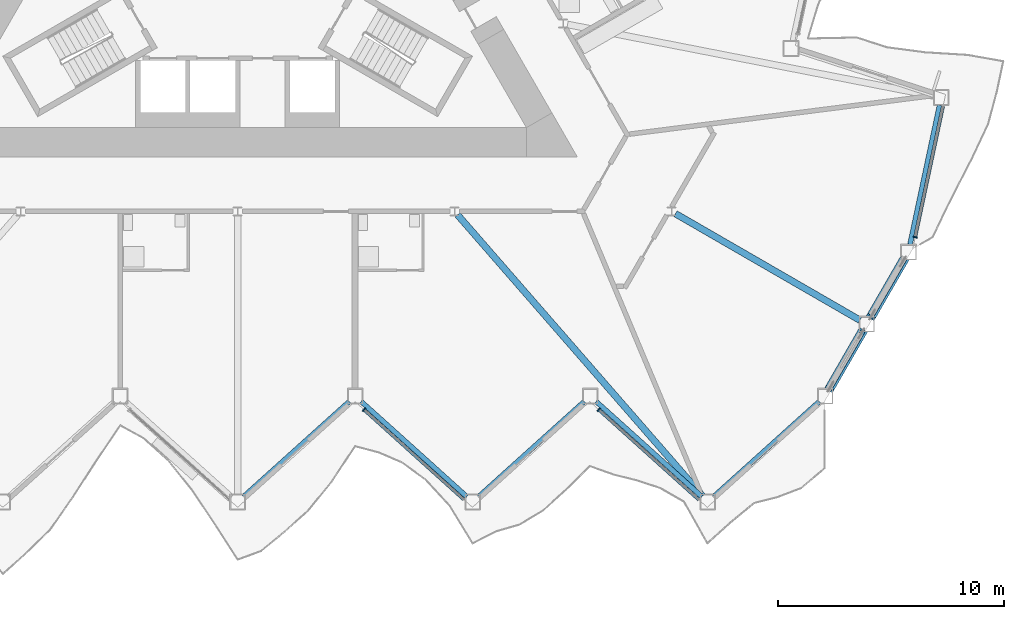
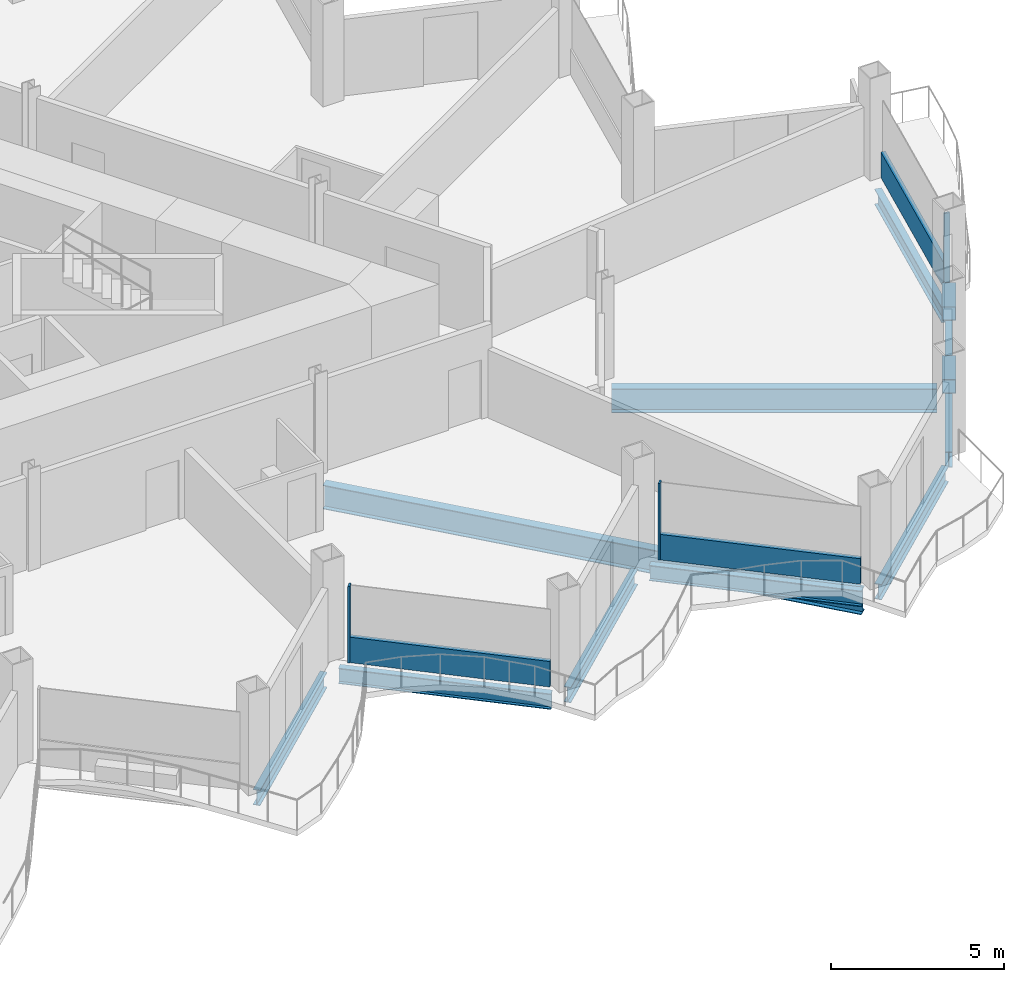
# One storey, part 6 of 23: 10 beams, 8 members, 3 elements without a shape of their own.
"""IFC4 building model written with IfcOpenShell, lengths in metres."""

from ifc_helpers import new_model, si_unit, direction, frame, origin, origin_2d, place, context, subcontext, project, spatial, rectangle, hollow_rectangle, i_section, extrude, material, layer, layer_set, material_profile, profile_set, type_object, element, aggregate, save


model = new_model("IFC4")

# Units and contexts
model_context = context("Model", 3, precision=1e-05, world=origin(), true_north=direction((0.0, 1.0)))
body_context = subcontext(model_context, "Body", "Model", "MODEL_VIEW")
ifc_project = project(units=[si_unit("LENGTHUNIT", "METRE"), si_unit("AREAUNIT", "SQUARE_METRE"), si_unit("VOLUMEUNIT", "CUBIC_METRE"), si_unit("PLANEANGLEUNIT", "RADIAN"), si_unit("MASSUNIT", "GRAM", prefix="KILO")], contexts=[model_context])

# Site, building, storey
site_placement = place(None, origin())
site = spatial("IfcSite", under=ifc_project, at=site_placement, CompositionType="ELEMENT")
building_placement = place(site_placement, origin())
building = spatial("IfcBuilding", under=site, at=building_placement, Name="Cormorant Prow Tower", CompositionType="ELEMENT")
storey_placement = place(building_placement, frame((0.0, 0.0, 267.0)))
storey = spatial("IfcBuildingStorey", under=building, at=storey_placement, Name="L60", CompositionType="ELEMENT", Elevation=267.0)

# Members
ifc_material_1 = material(Name="Structural steel ASTM A500 Gr C", Category="steel")
ifc_material_profile_1 = material_profile(ifc_material_1, hollow_rectangle(XDim=0.406494140625, YDim=0.406494140625, WallThickness=0.01171875, at=origin_2d()), Name="HSS16x16x1/2")
ifc_profile_set_1 = profile_set([ifc_material_profile_1], Name="Structural steel ASTM A500 Gr C")
member_type_1 = type_object("IfcMemberType", Name="Chamfer brace HSS16x16x1/2", PredefinedType="BRACE", material=ifc_profile_set_1)
for number, where, z_axis, x_axis, name in (
    (1, (27.593505859375, -16.353271484375, 0.74951171875), (-0.462773096913, -0.801606962687, 0.378506721399), (0.866041729639, -0.499971721724, 0.0), "Chamfer brace BR2 at ESE00 L60"),
    (2, (29.4287109375, -13.174560546875, 0.74951171875), (-0.462773096913, -0.801606962687, 0.378506721399), (0.866041729639, -0.499971721724, 0.0), "Chamfer brace BR2 at ESE01 L60"),
):
    element("IfcMember", number, at=place(storey_placement, frame(where, z_axis=z_axis, x_axis=x_axis)), inside=storey, type_object=member_type_1, Name=name, PredefinedType="BRACE", context=body_context, shape_type="SweptSolid", body=[
        extrude(hollow_rectangle(XDim=0.406494140625, YDim=0.406494140625, WallThickness=0.01171875, at=origin_2d()), origin(), (0.0, 0.0, 1.0), 3.17529296875),
    ])

# Curtain wall, member
ifc_material_2 = material(Name="Aluminium 6063-T6", Category="aluminium")
ifc_layer = layer(ifc_material_2, 0.179931640625)
ifc_layer_set = layer_set([ifc_layer], Name="Aluminium 6063-T6")
curtain_wall_type = type_object("IfcCurtainWallType", Name="Hotel unitised curtain wall 180", PredefinedType="NOTDEFINED", material=ifc_layer_set)
curtain_wall_1_placement = place(storey_placement, origin())
curtain_wall_1 = element("IfcCurtainWall", 3, at=curtain_wall_1_placement, inside=storey, type_object=curtain_wall_type, Name="Hotel curtain wall S06", PredefinedType="NOTDEFINED")
ifc_material_3 = material(Name="Aluminium 6063-T6", Category="aluminium")
ifc_material_profile_2 = material_profile(ifc_material_3, rectangle(XDim=0.179931640625, YDim=0.06005859375, at=origin_2d()), Name="Hotel mullion 60x180")
ifc_profile_set_2 = profile_set([ifc_material_profile_2], Name="Aluminium 6063-T6")
member_type_2 = type_object("IfcMemberType", Name="Hotel mullion 60x180", PredefinedType="MULLION", material=ifc_profile_set_2)
member_1_placement = place(storey_placement, frame((5.577392578125, -19.8115234375, 0.0), z_axis=(0.0, 0.0, 1.0), x_axis=(0.669130572247, 0.743144856192, 0.0)))
member_1 = element("IfcMember", 4, at=member_1_placement, type_object=member_type_2, Name="Hotel mullion S06", PredefinedType="MULLION", context=body_context, shape_type="SweptSolid", body=[
    extrude(rectangle(XDim=0.179931640625, YDim=0.06005859375, at=origin_2d()), origin(), (0.0, 0.0, 1.0), 2.700927734375),
])

curtain_wall_2_placement = place(storey_placement, origin())
curtain_wall_2 = element("IfcCurtainWall", 5, at=curtain_wall_2_placement, inside=storey, type_object=curtain_wall_type, Name="Hotel curtain wall S08", PredefinedType="NOTDEFINED")
member_2_placement = place(storey_placement, frame((15.942626953125, -19.8115234375, 0.0), z_axis=(0.0, 0.0, 1.0), x_axis=(0.669130572247, 0.743144856192, 0.0)))
member_2 = element("IfcMember", 6, at=member_2_placement, type_object=member_type_2, Name="Hotel mullion S08", PredefinedType="MULLION", context=body_context, shape_type="SweptSolid", body=[
    extrude(rectangle(XDim=0.179931640625, YDim=0.06005859375, at=origin_2d()), origin(), (0.0, 0.0, 1.0), 2.700927734375),
])

curtain_wall_3_placement = place(storey_placement, origin())
curtain_wall_3 = element("IfcCurtainWall", 7, at=curtain_wall_3_placement, inside=storey, type_object=curtain_wall_type, Name="Hotel curtain wall ENE00", PredefinedType="NOTDEFINED")
member_3_placement = place(storey_placement, frame((29.916748046875, -12.194091796875, 0.0), z_axis=(0.0, 0.0, 1.0), x_axis=(-0.978147588777, 0.20791174707, 0.0)))
member_3 = element("IfcMember", 8, at=member_3_placement, type_object=member_type_2, Name="Hotel mullion ENE00", PredefinedType="MULLION", context=body_context, shape_type="SweptSolid", body=[
    extrude(rectangle(XDim=0.179931640625, YDim=0.06005859375, at=origin_2d()), origin(), (0.0, 0.0, 1.0), 2.700927734375),
])

# Member
ifc_material_4 = material(Name="Terracotta", Category="masonry")
ifc_material_profile_3 = material_profile(ifc_material_4, rectangle(XDim=0.139892578125, YDim=0.89990234375, at=origin_2d()), Name="Hotel terracotta spandrel rail 140x900")
ifc_profile_set_3 = profile_set([ifc_material_profile_3], Name="Terracotta")
member_type_3 = type_object("IfcMemberType", Name="Hotel terracotta spandrel rail 140x900", PredefinedType="USERDEFINED", material=ifc_profile_set_3)
member_4_placement = place(storey_placement, frame((5.599609375, -19.831787109375, 0.449951171875), z_axis=(0.743140118275, -0.669135834199, 0.0), x_axis=(0.669135834199, 0.743140118275, 0.0)))
member_4 = element("IfcMember", 9, at=member_4_placement, type_object=member_type_3, Name="Hotel spandrel rail S06", ObjectType="TRANSOM", PredefinedType="USERDEFINED", context=body_context, shape_type="SweptSolid", body=[
    extrude(rectangle(XDim=0.139892578125, YDim=0.89990234375, at=origin_2d()), origin(), (0.0, 0.0, 1.0), 5.911865234375),
])

aggregate(curtain_wall_1, [member_1, member_4])

member_5_placement = place(storey_placement, frame((15.96484375, -19.831787109375, 0.449951171875), z_axis=(0.743158607872, -0.669115299142, 0.0), x_axis=(0.669115299142, 0.743158607872, 0.0)))
member_5 = element("IfcMember", 10, at=member_5_placement, type_object=member_type_3, Name="Hotel spandrel rail S08", ObjectType="TRANSOM", PredefinedType="USERDEFINED", context=body_context, shape_type="SweptSolid", body=[
    extrude(rectangle(XDim=0.139892578125, YDim=0.89990234375, at=origin_2d()), origin(), (0.0, 0.0, 1.0), 5.912109375),
])

aggregate(curtain_wall_2, [member_2, member_5])

member_6_placement = place(storey_placement, frame((29.923095703125, -12.164794921875, 0.449951171875), z_axis=(0.207887402243, 0.978152763115, 0.0), x_axis=(-0.978152763115, 0.207887402243, 0.0)))
member_6 = element("IfcMember", 11, at=member_6_placement, type_object=member_type_3, Name="Hotel spandrel rail ENE00", ObjectType="TRANSOM", PredefinedType="USERDEFINED", context=body_context, shape_type="SweptSolid", body=[
    extrude(rectangle(XDim=0.139892578125, YDim=0.89990234375, at=origin_2d()), origin(), (0.0, 0.0, 1.0), 5.911865234375),
])

aggregate(curtain_wall_3, [member_3, member_6])

# Beams
ifc_material_5 = material(Name="Structural steel ASTM A992 Gr 50", Category="steel")
ifc_material_profile_4 = material_profile(ifc_material_5, i_section(OverallWidth=0.29296875, OverallDepth=0.845703125, WebThickness=0.015380859375, FlangeThickness=0.0244140625, at=origin_2d()), Name="W33x141")
ifc_profile_set_4 = profile_set([ifc_material_profile_4], Name="Structural steel ASTM A992 Gr 50")
beam_type_1 = type_object("IfcBeamType", Name="Radial floor beam W33x141", PredefinedType="BEAM", material=ifc_profile_set_4)
beam_1_placement = place(storey_placement, frame((9.70947265625, -11.210693359375, -0.77294921875), z_axis=(0.656874593387, -0.753999846527, 0.0), x_axis=(0.753999846527, 0.656874593387, 0.0)))
element("IfcBeam", 12, at=beam_1_placement, inside=storey, type_object=beam_type_1, Name="Radial floor beam FB2 8 L60", PredefinedType="BEAM", context=body_context, shape_type="SweptSolid", body=[
    extrude(i_section(OverallWidth=0.29296875, OverallDepth=0.845703125, WebThickness=0.015380859375, FlangeThickness=0.0244140625, at=origin_2d()), origin(), (0.0, 0.0, 1.0), 16.4619140625),
])
beam_2_placement = place(storey_placement, frame((19.32958984375, -11.159912109375, -0.77294921875), z_axis=(0.866021726843, -0.500006368596, 0.0), x_axis=(0.500006368596, 0.866021726843, 0.0)))
element("IfcBeam", 13, at=beam_2_placement, inside=storey, type_object=beam_type_1, Name="Radial floor beam FB2 9 L60", PredefinedType="BEAM", context=body_context, shape_type="SweptSolid", body=[
    extrude(i_section(OverallWidth=0.29296875, OverallDepth=0.845703125, WebThickness=0.015380859375, FlangeThickness=0.0244140625, at=origin_2d()), origin(), (0.0, 0.0, 1.0), 9.40380859375),
])
ifc_material_6 = material(Name="Structural steel ASTM A992 Gr 50", Category="steel")
ifc_material_profile_5 = material_profile(ifc_material_6, i_section(OverallWidth=0.2138671875, OverallDepth=0.549072265625, WebThickness=0.0146484375, FlangeThickness=0.023681640625, at=origin_2d()), Name="W21x93")
ifc_profile_set_5 = profile_set([ifc_material_profile_5], Name="Structural steel ASTM A992 Gr 50")
beam_type_2 = type_object("IfcBeamType", Name="Spandrel beam W21x93", PredefinedType="SPANDREL", material=ifc_profile_set_5)
for number, where, z_axis, x_axis, name in (
    (14, (0.260009765625, -23.65283203125, -0.62451171875), (0.743156918576, 0.669117175368, 0.0), (-0.669117175368, 0.743156918576, 0.0), "Spandrel beam SB2 S05-S06 L60"),
    (15, (5.4482421875, -19.44970703125, -0.62451171875), (0.743156918576, -0.669117175368, 0.0), (0.669117175368, 0.743156918576, 0.0), "Spandrel beam SB2 S06-S07 L60"),
    (16, (10.636474609375, -23.65283203125, -0.62451171875), (0.743156918576, 0.669117175368, 0.0), (-0.669117175368, 0.743156918576, 0.0), "Spandrel beam SB2 S07-S08 L60"),
    (17, (15.82470703125, -19.44970703125, -0.62451171875), (0.743156918576, -0.669117175368, 0.0), (0.669117175368, 0.743156918576, 0.0), "Spandrel beam SB2 S08-S09 L60"),
    (18, (21.012939453125, -23.65283203125, -0.62451171875), (0.743156918576, 0.669117175368, 0.0), (-0.669117175368, 0.743156918576, 0.0), "Spandrel beam SB2 S09-ESE00 L60"),
):
    element("IfcBeam", number, at=place(storey_placement, frame(where, z_axis=z_axis, x_axis=x_axis)), inside=storey, type_object=beam_type_2, Name=name, PredefinedType="SPANDREL", context=body_context, shape_type="SweptSolid", body=[
        extrude(i_section(OverallWidth=0.2138671875, OverallDepth=0.549072265625, WebThickness=0.0146484375, FlangeThickness=0.023681640625, at=origin_2d()), origin(), (0.0, 0.0, 1.0), 6.281494140625),
    ])
for number, where, z_axis, x_axis, name in (
    (19, (26.1162109375, -18.912353515625, -0.62451171875), (0.499966725515, 0.866044613965, 0.0), (-0.866044613965, 0.499966725515, 0.0), "Spandrel beam SB2 ESE00-ESE01 L60"),
    (20, (27.951416015625, -15.733642578125, -0.62451171875), (0.499966725515, 0.866044613965, 0.0), (-0.866044613965, 0.499966725515, 0.0), "Spandrel beam SB2 ESE01-ENE00 L60"),
):
    element("IfcBeam", number, at=place(storey_placement, frame(where, z_axis=z_axis, x_axis=x_axis)), inside=storey, type_object=beam_type_2, Name=name, PredefinedType="SPANDREL", context=body_context, shape_type="SweptSolid", body=[
        extrude(i_section(OverallWidth=0.2138671875, OverallDepth=0.549072265625, WebThickness=0.0146484375, FlangeThickness=0.023681640625, at=origin_2d()), origin(), (0.0, 0.0, 1.0), 2.970458984375),
    ])
beam_3_placement = place(storey_placement, frame((29.684326171875, -12.515625, -0.62451171875), z_axis=(0.207941499013, 0.978141264331, 0.0), x_axis=(-0.978141264331, 0.207941499013, 0.0)))
element("IfcBeam", 21, at=beam_3_placement, inside=storey, type_object=beam_type_2, Name="Spandrel beam SB2 ENE00-ENE01 L60", PredefinedType="SPANDREL", context=body_context, shape_type="SweptSolid", body=[
    extrude(i_section(OverallWidth=0.2138671875, OverallDepth=0.549072265625, WebThickness=0.0146484375, FlangeThickness=0.023681640625, at=origin_2d()), origin(), (0.0, 0.0, 1.0), 6.28125),
])

save(model, "model.ifc")
